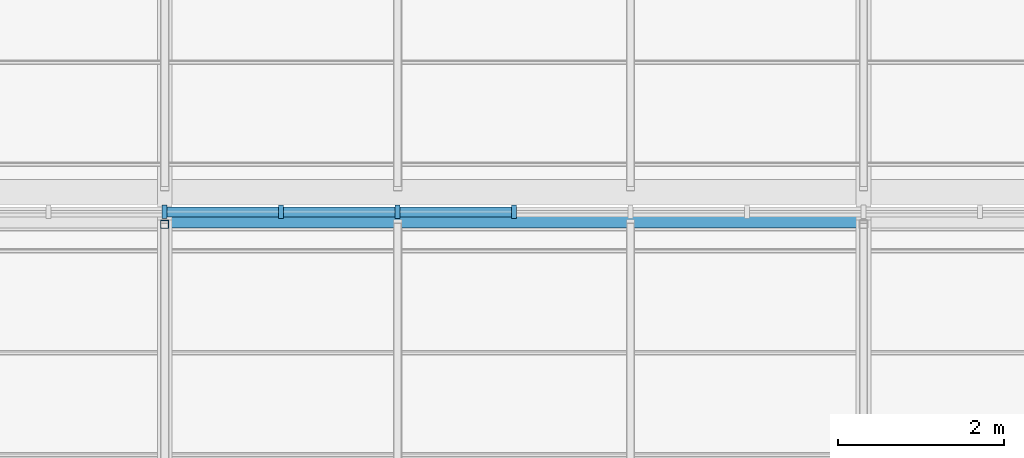
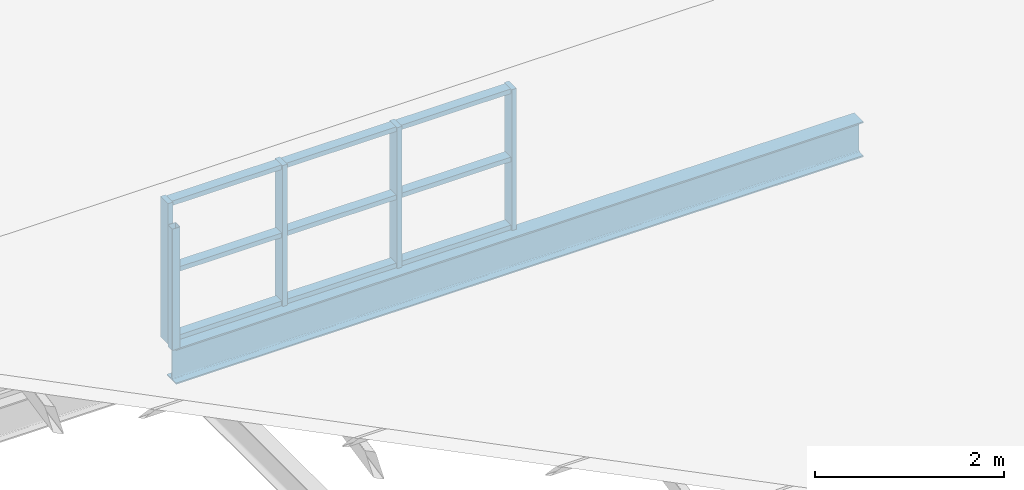
# One storey, part 33 of 121: 14 members, 1 beam, 1 element without a shape of its own.
"""IFC4 building model written with IfcOpenShell, lengths in metres."""

import ifcopenshell
import ifcopenshell.guid

model = None  # the IFC model being written
_history = None  # IfcOwnerHistory: only IFC2X3 demands one
_inside = {}  # id of a spatial element -> (the spatial element, [elements in it])
_under = {}  # id of a project, library or spatial element -> (it, [spatial elements below it])
_declared = {}  # id of a project -> (the project, [libraries it declares])
_typed = {}  # id of a type object -> (the type object, [elements of that type])
_made_of = {}  # id of a material, layer set ... -> (it, [elements and type objects made of it])


def new_model(schema):
    """Start an empty IFC model of exactly this schema.

    Asked for "IFC4X3", IfcOpenShell would pick the latest addendum, in which some entities
    have other attributes; the version numbers below select the first issue.
    IFC2X3 requires an IfcOwnerHistory on every rooted entity: one is made here for all.
    """
    global model, _history
    if schema == "IFC4X3":
        model = ifcopenshell.file(schema_version=(4, 3, 0, 0))
    else:
        model = ifcopenshell.file(schema=schema)
    _inside.clear()
    _under.clear()
    _declared.clear()
    _typed.clear()
    _made_of.clear()
    _history = None
    if model.schema == "IFC2X3":
        org = make("IfcOrganization", Name="unknown")
        user = make(
            "IfcPersonAndOrganization",
            ThePerson=make("IfcPerson", FamilyName="unknown"),
            TheOrganization=org,
        )
        app = make(
            "IfcApplication",
            ApplicationDeveloper=org,
            Version="unknown",
            ApplicationFullName="unknown",
            ApplicationIdentifier="unknown",
        )
        _history = make(
            "IfcOwnerHistory",
            OwningUser=user,
            OwningApplication=app,
            ChangeAction="ADDED",
            CreationDate=0,
        )
    return model


def make(cls, **values):
    """One entity of the class cls with the attributes given. An attribute that is None is left unset."""
    return model.create_entity(
        cls, **{name: value for name, value in values.items() if value is not None}
    )


def rooted(cls, **values):
    """An entity with a GlobalId (a new one), such as an element, a storey or a relation."""
    return make(cls, GlobalId=ifcopenshell.guid.new(), OwnerHistory=_history, **values)


def si_unit(unit_type, name, prefix=None):
    """IfcSIUnit, for example si_unit("LENGTHUNIT", "METRE", prefix="MILLI")."""
    return make("IfcSIUnit", UnitType=unit_type, Prefix=prefix, Name=name)


def assignment(units):
    """IfcUnitAssignment: the units of a project."""
    return None if units is None else make("IfcUnitAssignment", Units=units)


def point(xyz):
    """IfcCartesianPoint."""
    return None if xyz is None else make("IfcCartesianPoint", Coordinates=xyz)


def direction(xyz):
    """IfcDirection."""
    return None if xyz is None else make("IfcDirection", DirectionRatios=xyz)


def frame(location, z_axis=None, x_axis=None):
    """IfcAxis2Placement3D, a coordinate frame: its origin and axes. An axis left out is left unset."""
    return make(
        "IfcAxis2Placement3D",
        Location=point(location),
        Axis=direction(z_axis),
        RefDirection=direction(x_axis),
    )


def frame_2d(location, x_axis=None):
    """IfcAxis2Placement2D, a coordinate frame in the plane: its origin and x axis."""
    return make(
        "IfcAxis2Placement2D", Location=point(location), RefDirection=direction(x_axis)
    )


def origin():
    """The frame at (0, 0, 0) with its axes left unset."""
    return frame((0.0, 0.0, 0.0))


def origin_2d():
    """The frame at (0, 0) in the plane with its x axis left unset."""
    return frame_2d((0.0, 0.0))


def place(relative_to, where):
    """IfcLocalPlacement: puts the frame where relative to a parent placement (None: the world)."""
    return make(
        "IfcLocalPlacement", PlacementRelTo=relative_to, RelativePlacement=where
    )


def context(
    kind, dimensions, precision=None, world=None, true_north=None, identifier=None
):
    """IfcGeometricRepresentationContext, for example the 3D "Model" context."""
    return make(
        "IfcGeometricRepresentationContext",
        ContextIdentifier=identifier,
        ContextType=kind,
        CoordinateSpaceDimension=dimensions,
        Precision=precision,
        WorldCoordinateSystem=world,
        TrueNorth=true_north,
    )


def subcontext(parent, identifier, kind, view, scale=None):
    """IfcGeometricRepresentationSubContext, for example "Body" below "Model"."""
    return make(
        "IfcGeometricRepresentationSubContext",
        ContextIdentifier=identifier,
        ContextType=kind,
        ParentContext=parent,
        TargetScale=scale,
        TargetView=view,
    )


def project(units=None, contexts=None):
    """IfcProject with its units and contexts."""
    return rooted(
        "IfcProject",
        Name="project",
        RepresentationContexts=contexts,
        UnitsInContext=assignment(units),
    )


def spatial(cls, under=None, at=None, **own):
    """A site, building, storey or space (cls), placed at a placement, below another one or the project."""
    s = rooted(cls, ObjectPlacement=at, **own)
    if under is not None:
        _under.setdefault(under.id(), (under, []))[1].append(s)
    return s


def profile(cls, at=None, kind="AREA", **sizes):
    """A parametric profile (cls). Its sizes go by their IFC names, for example OverallWidth=200.0."""
    return make(cls, ProfileType=kind, Position=at, **sizes)


def rectangle(**sizes):
    """IfcRectangleProfileDef."""
    return profile("IfcRectangleProfileDef", **sizes)


def hollow_rectangle(**sizes):
    """IfcRectangleHollowProfileDef."""
    return profile("IfcRectangleHollowProfileDef", **sizes)


def i_section(**sizes):
    """IfcIShapeProfileDef."""
    return profile("IfcIShapeProfileDef", **sizes)


def extrude(swept, where, along, depth):
    """IfcExtrudedAreaSolid: the profile swept, set in the frame where, extruded along a direction by depth."""
    return make(
        "IfcExtrudedAreaSolid",
        SweptArea=swept,
        Position=where,
        ExtrudedDirection=direction(along),
        Depth=depth,
    )


def shape(context_of_items, identifier, shape_type, items):
    """IfcShapeRepresentation: the items that make up one representation, for example the "Body"."""
    return make(
        "IfcShapeRepresentation",
        ContextOfItems=context_of_items,
        RepresentationIdentifier=identifier,
        RepresentationType=shape_type,
        Items=items,
    )


def material(Name=None, Category=None):
    """IfcMaterial."""
    return make("IfcMaterial", Name=Name, Category=Category)


def layer(
    of_material, thickness, ventilated=None, Name=None, Category=None, Priority=None
):
    """IfcMaterialLayer: one layer of a wall or slab, of a material (None: an air gap)."""
    return make(
        "IfcMaterialLayer",
        Material=of_material,
        LayerThickness=thickness,
        IsVentilated=ventilated,
        Name=Name,
        Category=Category,
        Priority=Priority,
    )


def layer_set(layers, Name=None):
    """IfcMaterialLayerSet."""
    return make("IfcMaterialLayerSet", MaterialLayers=layers, LayerSetName=Name)


def material_profile(
    of_material, cross_section, Name=None, Category=None, Priority=None
):
    """IfcMaterialProfile: a cross section and its material."""
    return make(
        "IfcMaterialProfile",
        Name=Name,
        Material=of_material,
        Profile=cross_section,
        Priority=Priority,
        Category=Category,
    )


def profile_set(profiles, Name=None, composite=None):
    """IfcMaterialProfileSet."""
    return make(
        "IfcMaterialProfileSet",
        Name=Name,
        MaterialProfiles=profiles,
        CompositeProfile=composite,
    )


def made_of(thing, what):
    """Note that an element or type object is made of a material, layer set ...; save() writes the relation."""
    if what is not None:
        _made_of.setdefault(what.id(), (what, []))[1].append(thing)
    return thing


def type_object(cls, material=None, **own):
    """A type object (cls), such as IfcWallType, which elements share."""
    return made_of(rooted(cls, **own), material)


def element(
    cls,
    number,
    at=None,
    inside=None,
    cuts=None,
    type_object=None,
    material=None,
    context=None,
    identifier="Body",
    shape_type=None,
    held_by="IfcProductDefinitionShape",
    body=None,
    shapes=None,
    **own,
):
    """One element of the class cls, such as IfcWall. Its Tag is "e" and its number.

    at: its placement. inside: the storey or other place that contains it. cuts: it is an
    opening in that element (IfcRelVoidsElement). A single representation is given by context,
    identifier, shape_type and body (its items); several are given by shapes. held_by: the class
    of the entity that holds the representations. save() writes the other relations.
    """
    e = rooted(cls, Tag="e%d" % number, ObjectPlacement=at, **own)
    if body is not None:
        shapes = [shape(context, identifier, shape_type, body)]
    if shapes is not None:
        e.Representation = make(held_by, Representations=shapes)
    if inside is not None:
        _inside.setdefault(inside.id(), (inside, []))[1].append(e)
    if cuts is not None:
        rooted(
            "IfcRelVoidsElement", RelatingBuildingElement=cuts, RelatedOpeningElement=e
        )
    if type_object is not None:
        _typed.setdefault(type_object.id(), (type_object, []))[1].append(e)
    return made_of(e, material)


def aggregate(whole, parts):
    """IfcRelAggregates: a whole, such as a stair, and the parts it consists of."""
    return rooted("IfcRelAggregates", RelatingObject=whole, RelatedObjects=parts)


def save(model, path):
    """Write the relations noted so far, then the file.

    IfcRelAggregates (storeys below a building ...), IfcRelContainedInSpatialStructure (elements
    in a storey), IfcRelDefinesByType, IfcRelAssociatesMaterial and IfcRelDeclares: one each for
    every whole, place, type object, material and project.
    """
    for whole, parts in _under.values():
        aggregate(whole, parts)
    for where, things in _inside.values():
        rooted(
            "IfcRelContainedInSpatialStructure",
            RelatedElements=things,
            RelatingStructure=where,
        )
    for kind, things in _typed.values():
        rooted("IfcRelDefinesByType", RelatedObjects=things, RelatingType=kind)
    for what, things in _made_of.values():
        rooted("IfcRelAssociatesMaterial", RelatedObjects=things, RelatingMaterial=what)
    for by, libraries in _declared.values():
        rooted("IfcRelDeclares", RelatingContext=by, RelatedDefinitions=libraries)
    model.write(path)


model = new_model("IFC4")

# Units and contexts
model_context = context("Model", 3, precision=1e-05, world=origin(), true_north=direction((0.0, 1.0)))
body_context = subcontext(model_context, "Body", "Model", "MODEL_VIEW")
ifc_project = project(units=[si_unit("LENGTHUNIT", "METRE"), si_unit("AREAUNIT", "SQUARE_METRE"), si_unit("VOLUMEUNIT", "CUBIC_METRE"), si_unit("PLANEANGLEUNIT", "RADIAN"), si_unit("MASSUNIT", "GRAM", prefix="KILO")], contexts=[model_context])

# Site, building, storey
site_placement = place(None, origin())
site = spatial("IfcSite", under=ifc_project, at=site_placement, CompositionType="ELEMENT")
building_placement = place(site_placement, origin())
building = spatial("IfcBuilding", under=site, at=building_placement, Name="Ardhachandra Cancer Care Centre", CompositionType="ELEMENT")
storey_placement = place(building_placement, frame((0.0, 0.0, 9.0)))
storey = spatial("IfcBuildingStorey", under=building, at=storey_placement, Name="L02", CompositionType="ELEMENT", Elevation=9.0)

# Beam
ifc_material_1 = material(Name="Steel E350 (IS 2062)", Category="steel")
ifc_material_profile_1 = material_profile(ifc_material_1, i_section(OverallWidth=0.19189453125, OverallDepth=0.4560546875, WebThickness=0.010986328125, FlangeThickness=0.017578125, FilletRadius=0.02099609375, at=origin_2d()), Name="NPB 450x190x92.36")
ifc_profile_set_1 = profile_set([ifc_material_profile_1], Name="Steel E350 (IS 2062)")
beam_type = type_object("IfcBeamType", Name="Beam NPB 450x190x92.36", PredefinedType="BEAM", material=ifc_profile_set_1)
beam_placement = place(storey_placement, frame((27.60009765625, 63.0, -0.22802734375), z_axis=(1.0, 0.0, 0.0), x_axis=(0.0, 1.0, 0.0)))
element("IfcBeam", 1, at=beam_placement, inside=storey, type_object=beam_type, Name="Roof girder G3-G4", PredefinedType="BEAM", context=body_context, shape_type="SweptSolid", body=[
    extrude(i_section(OverallWidth=0.19189453125, OverallDepth=0.4560546875, WebThickness=0.010986328125, FlangeThickness=0.017578125, FilletRadius=0.02099609375, at=origin_2d()), origin(), (0.0, 0.0, 1.0), 8.39990234375),
])

# Curtain wall, members
ifc_material_2 = material(Name="Aluminium extrusion", Category="aluminium")
ifc_layer = layer(ifc_material_2, 0.14990234375)
ifc_layer_set = layer_set([ifc_layer], Name="Aluminium extrusion")
curtain_wall_type = type_object("IfcCurtainWallType", Name="Curtain wall run", PredefinedType="NOTDEFINED", material=ifc_layer_set)
curtain_wall_placement = place(storey_placement, origin())
curtain_wall = element("IfcCurtainWall", 2, at=curtain_wall_placement, inside=storey, type_object=curtain_wall_type, Name="Curtain wall L02 n/0010800_0063100", PredefinedType="NOTDEFINED")
ifc_material_3 = material(Name="Aluminium extrusion", Category="aluminium")
ifc_material_profile_2 = material_profile(ifc_material_3, rectangle(XDim=0.159912109375, YDim=0.06005859375, at=origin_2d()), Name="Curtain wall mullion 60 x 160")
ifc_profile_set_2 = profile_set([ifc_material_profile_2], Name="Aluminium extrusion")
member_type_1 = type_object("IfcMemberType", Name="Curtain wall mullion 60 x 160", PredefinedType="MULLION", material=ifc_profile_set_2)
member_1_placement = place(storey_placement, frame((27.60009765625, 63.10009765625, 0.0), z_axis=(0.0, 0.0, 1.0), x_axis=(0.0, 1.0, 0.0)))
member_1 = element("IfcMember", 3, at=member_1_placement, type_object=member_type_1, Name="CW mullion 13", PredefinedType="MULLION", context=body_context, shape_type="SweptSolid", body=[
    extrude(rectangle(XDim=0.159912109375, YDim=0.06005859375, at=origin_2d()), origin(), (0.0, 0.0, 1.0), 1.820068359375),
])
member_2_placement = place(storey_placement, frame((29.0, 63.10009765625, 0.0), z_axis=(0.0, 0.0, 1.0), x_axis=(0.0, 1.0, 0.0)))
member_2 = element("IfcMember", 4, at=member_2_placement, type_object=member_type_1, Name="CW mullion 14", PredefinedType="MULLION", context=body_context, shape_type="SweptSolid", body=[
    extrude(rectangle(XDim=0.159912109375, YDim=0.06005859375, at=origin_2d()), origin(), (0.0, 0.0, 1.0), 1.820068359375),
])
member_3_placement = place(storey_placement, frame((30.39990234375, 63.10009765625, 0.0), z_axis=(0.0, 0.0, 1.0), x_axis=(0.0, 1.0, 0.0)))
member_3 = element("IfcMember", 5, at=member_3_placement, type_object=member_type_1, Name="CW mullion 15", PredefinedType="MULLION", context=body_context, shape_type="SweptSolid", body=[
    extrude(rectangle(XDim=0.159912109375, YDim=0.06005859375, at=origin_2d()), origin(), (0.0, 0.0, 1.0), 1.820068359375),
])
member_4_placement = place(storey_placement, frame((31.800048828125, 63.10009765625, 0.0), z_axis=(0.0, 0.0, 1.0), x_axis=(0.0, 1.0, 0.0)))
member_4 = element("IfcMember", 6, at=member_4_placement, type_object=member_type_1, Name="CW mullion 16", PredefinedType="MULLION", context=body_context, shape_type="SweptSolid", body=[
    extrude(rectangle(XDim=0.159912109375, YDim=0.06005859375, at=origin_2d()), origin(), (0.0, 0.0, 1.0), 1.820068359375),
])
ifc_material_4 = material(Name="Aluminium extrusion", Category="aluminium")
ifc_material_profile_3 = material_profile(ifc_material_4, rectangle(XDim=0.1201171875, YDim=0.06005859375, at=origin_2d()), Name="Curtain wall transom 60 x 120")
ifc_profile_set_3 = profile_set([ifc_material_profile_3], Name="Aluminium extrusion")
member_type_2 = type_object("IfcMemberType", Name="Curtain wall transom 60 x 120", PredefinedType="USERDEFINED", material=ifc_profile_set_3)
member_5_placement = place(storey_placement, frame((27.6298828125, 63.10009765625, 0.030029296875), z_axis=(1.0, 0.0, 0.0), x_axis=(0.0, 1.0, 0.0)))
member_5 = element("IfcMember", 7, at=member_5_placement, type_object=member_type_2, Name="CW transom 13.1", ObjectType="TRANSOM", PredefinedType="USERDEFINED", context=body_context, shape_type="SweptSolid", body=[
    extrude(rectangle(XDim=0.1201171875, YDim=0.06005859375, at=origin_2d()), origin(), (0.0, 0.0, 1.0), 1.340087890625),
])
member_6_placement = place(storey_placement, frame((27.6298828125, 63.10009765625, 0.909912109375), z_axis=(1.0, 0.0, 0.0), x_axis=(0.0, 1.0, 0.0)))
member_6 = element("IfcMember", 8, at=member_6_placement, type_object=member_type_2, Name="CW transom 13.2", ObjectType="TRANSOM", PredefinedType="USERDEFINED", context=body_context, shape_type="SweptSolid", body=[
    extrude(rectangle(XDim=0.1201171875, YDim=0.06005859375, at=origin_2d()), origin(), (0.0, 0.0, 1.0), 1.340087890625),
])
member_7_placement = place(storey_placement, frame((27.6298828125, 63.10009765625, 1.7900390625), z_axis=(1.0, 0.0, 0.0), x_axis=(0.0, 1.0, 0.0)))
member_7 = element("IfcMember", 9, at=member_7_placement, type_object=member_type_2, Name="CW transom 13.3", ObjectType="TRANSOM", PredefinedType="USERDEFINED", context=body_context, shape_type="SweptSolid", body=[
    extrude(rectangle(XDim=0.1201171875, YDim=0.06005859375, at=origin_2d()), origin(), (0.0, 0.0, 1.0), 1.340087890625),
])
member_8_placement = place(storey_placement, frame((29.030029296875, 63.10009765625, 0.030029296875), z_axis=(1.0, 0.0, 0.0), x_axis=(0.0, 1.0, 0.0)))
member_8 = element("IfcMember", 10, at=member_8_placement, type_object=member_type_2, Name="CW transom 14.1", ObjectType="TRANSOM", PredefinedType="USERDEFINED", context=body_context, shape_type="SweptSolid", body=[
    extrude(rectangle(XDim=0.1201171875, YDim=0.06005859375, at=origin_2d()), origin(), (0.0, 0.0, 1.0), 1.340087890625),
])
member_9_placement = place(storey_placement, frame((29.030029296875, 63.10009765625, 0.909912109375), z_axis=(1.0, 0.0, 0.0), x_axis=(0.0, 1.0, 0.0)))
member_9 = element("IfcMember", 11, at=member_9_placement, type_object=member_type_2, Name="CW transom 14.2", ObjectType="TRANSOM", PredefinedType="USERDEFINED", context=body_context, shape_type="SweptSolid", body=[
    extrude(rectangle(XDim=0.1201171875, YDim=0.06005859375, at=origin_2d()), origin(), (0.0, 0.0, 1.0), 1.340087890625),
])
member_10_placement = place(storey_placement, frame((29.030029296875, 63.10009765625, 1.7900390625), z_axis=(1.0, 0.0, 0.0), x_axis=(0.0, 1.0, 0.0)))
member_10 = element("IfcMember", 12, at=member_10_placement, type_object=member_type_2, Name="CW transom 14.3", ObjectType="TRANSOM", PredefinedType="USERDEFINED", context=body_context, shape_type="SweptSolid", body=[
    extrude(rectangle(XDim=0.1201171875, YDim=0.06005859375, at=origin_2d()), origin(), (0.0, 0.0, 1.0), 1.340087890625),
])
member_11_placement = place(storey_placement, frame((30.429931640625, 63.10009765625, 0.030029296875), z_axis=(1.0, 0.0, 0.0), x_axis=(0.0, 1.0, 0.0)))
member_11 = element("IfcMember", 13, at=member_11_placement, type_object=member_type_2, Name="CW transom 15.1", ObjectType="TRANSOM", PredefinedType="USERDEFINED", context=body_context, shape_type="SweptSolid", body=[
    extrude(rectangle(XDim=0.1201171875, YDim=0.06005859375, at=origin_2d()), origin(), (0.0, 0.0, 1.0), 1.340087890625),
])
member_12_placement = place(storey_placement, frame((30.429931640625, 63.10009765625, 0.909912109375), z_axis=(1.0, 0.0, 0.0), x_axis=(0.0, 1.0, 0.0)))
member_12 = element("IfcMember", 14, at=member_12_placement, type_object=member_type_2, Name="CW transom 15.2", ObjectType="TRANSOM", PredefinedType="USERDEFINED", context=body_context, shape_type="SweptSolid", body=[
    extrude(rectangle(XDim=0.1201171875, YDim=0.06005859375, at=origin_2d()), origin(), (0.0, 0.0, 1.0), 1.340087890625),
])
member_13_placement = place(storey_placement, frame((30.429931640625, 63.10009765625, 1.7900390625), z_axis=(1.0, 0.0, 0.0), x_axis=(0.0, 1.0, 0.0)))
member_13 = element("IfcMember", 15, at=member_13_placement, type_object=member_type_2, Name="CW transom 15.3", ObjectType="TRANSOM", PredefinedType="USERDEFINED", context=body_context, shape_type="SweptSolid", body=[
    extrude(rectangle(XDim=0.1201171875, YDim=0.06005859375, at=origin_2d()), origin(), (0.0, 0.0, 1.0), 1.340087890625),
])
aggregate(curtain_wall, [member_1, member_2, member_3, member_4, member_5, member_6, member_7, member_8, member_9, member_10, member_11, member_12, member_13])

# Member
ifc_material_5 = material(Name="Steel E350 (IS 2062)", Category="steel")
ifc_material_profile_4 = material_profile(ifc_material_5, hollow_rectangle(XDim=0.10009765625, YDim=0.10009765625, WallThickness=0.0048828125, InnerFilletRadius=0.0048828125, OuterFilletRadius=0.010009765625, at=origin_2d()), Name="SHS 100x100x5.0")
ifc_profile_set_4 = profile_set([ifc_material_profile_4], Name="Steel E350 (IS 2062)")
member_type_3 = type_object("IfcMemberType", Name="Sawtooth ridge post SHS 100x100x5.0", PredefinedType="POST", material=ifc_profile_set_4)
member_14_placement = place(storey_placement, frame((27.60009765625, 62.949951171875, 0.0), z_axis=(0.0, 0.0, 1.0), x_axis=(1.0, 0.0, 0.0)))
element("IfcMember", 16, at=member_14_placement, inside=storey, type_object=member_type_3, Name="Ridge post T4a.3", PredefinedType="POST", context=body_context, shape_type="SweptSolid", body=[
    extrude(hollow_rectangle(XDim=0.10009765625, YDim=0.10009765625, WallThickness=0.0048828125, InnerFilletRadius=0.0048828125, OuterFilletRadius=0.010009765625, at=origin_2d()), origin(), (0.0, 0.0, 1.0), 1.5673828125),
])

save(model, "model.ifc")
